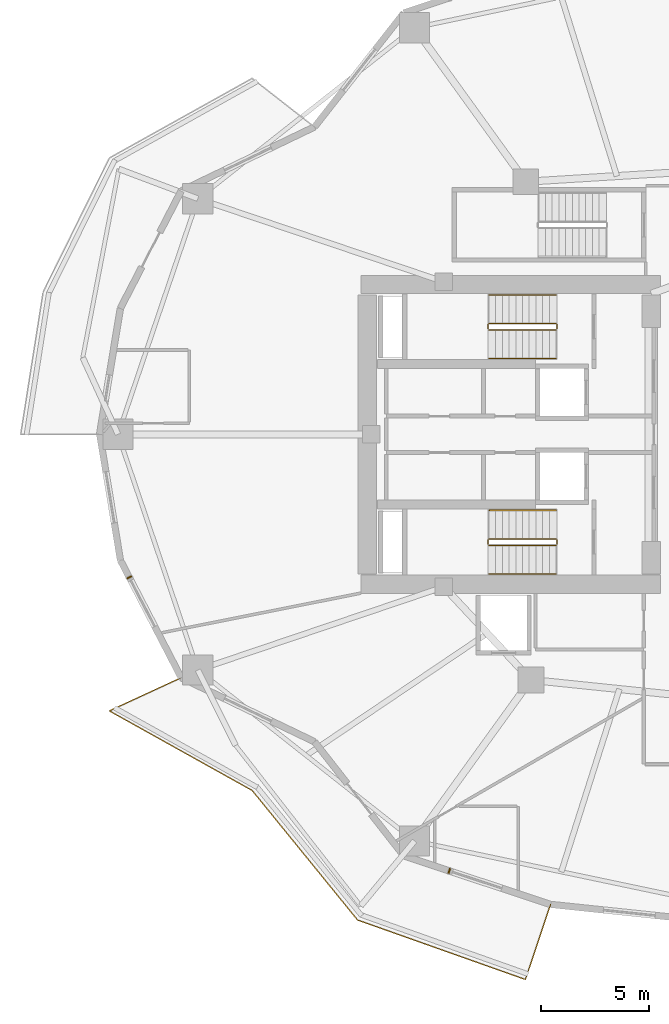
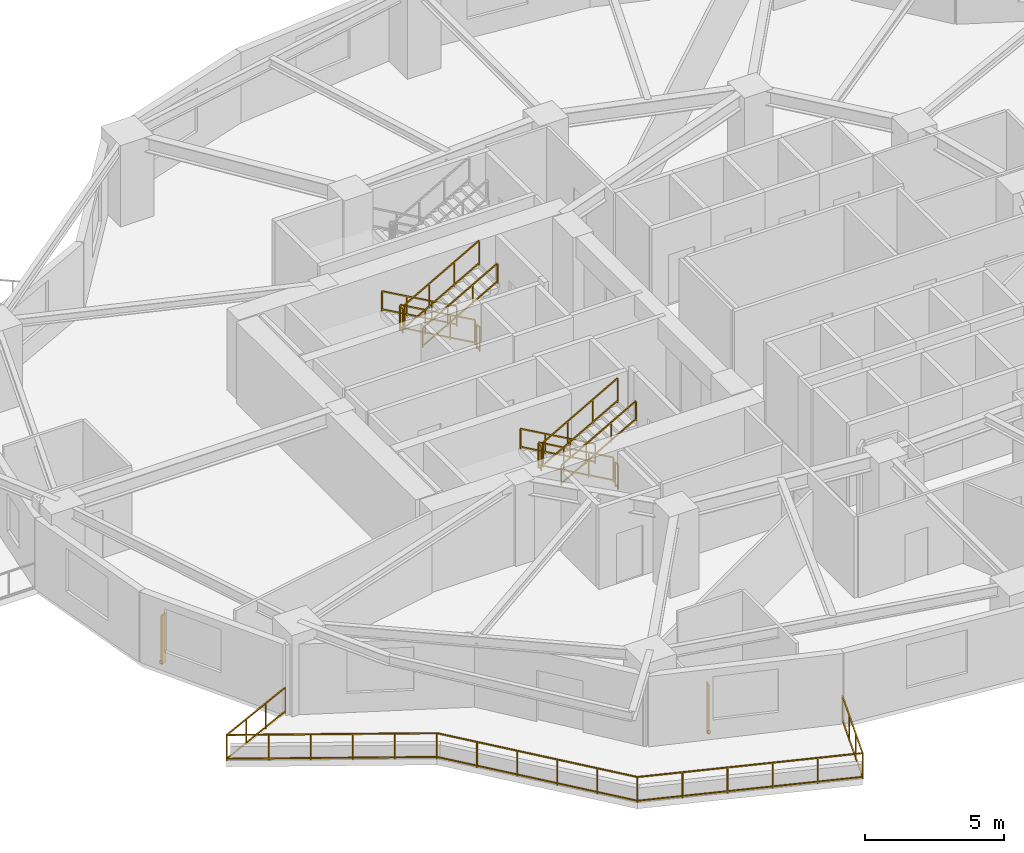
# One storey, part 9 of 13: 13 railings, 2 shading devices.
"""IFC4 building model written with IfcOpenShell, lengths in metres."""

import ifcopenshell
import ifcopenshell.guid

model = None  # the IFC model being written
_history = None  # IfcOwnerHistory: only IFC2X3 demands one
_inside = {}  # id of a spatial element -> (the spatial element, [elements in it])
_under = {}  # id of a project, library or spatial element -> (it, [spatial elements below it])
_declared = {}  # id of a project -> (the project, [libraries it declares])
_typed = {}  # id of a type object -> (the type object, [elements of that type])
_made_of = {}  # id of a material, layer set ... -> (it, [elements and type objects made of it])


def new_model(schema):
    """Start an empty IFC model of exactly this schema.

    Asked for "IFC4X3", IfcOpenShell would pick the latest addendum, in which some entities
    have other attributes; the version numbers below select the first issue.
    IFC2X3 requires an IfcOwnerHistory on every rooted entity: one is made here for all.
    """
    global model, _history
    if schema == "IFC4X3":
        model = ifcopenshell.file(schema_version=(4, 3, 0, 0))
    else:
        model = ifcopenshell.file(schema=schema)
    _inside.clear()
    _under.clear()
    _declared.clear()
    _typed.clear()
    _made_of.clear()
    _history = None
    if model.schema == "IFC2X3":
        org = make("IfcOrganization", Name="unknown")
        user = make(
            "IfcPersonAndOrganization",
            ThePerson=make("IfcPerson", FamilyName="unknown"),
            TheOrganization=org,
        )
        app = make(
            "IfcApplication",
            ApplicationDeveloper=org,
            Version="unknown",
            ApplicationFullName="unknown",
            ApplicationIdentifier="unknown",
        )
        _history = make(
            "IfcOwnerHistory",
            OwningUser=user,
            OwningApplication=app,
            ChangeAction="ADDED",
            CreationDate=0,
        )
    return model


def make(cls, **values):
    """One entity of the class cls with the attributes given. An attribute that is None is left unset."""
    return model.create_entity(
        cls, **{name: value for name, value in values.items() if value is not None}
    )


def rooted(cls, **values):
    """An entity with a GlobalId (a new one), such as an element, a storey or a relation."""
    return make(cls, GlobalId=ifcopenshell.guid.new(), OwnerHistory=_history, **values)


def si_unit(unit_type, name, prefix=None):
    """IfcSIUnit, for example si_unit("LENGTHUNIT", "METRE", prefix="MILLI")."""
    return make("IfcSIUnit", UnitType=unit_type, Prefix=prefix, Name=name)


def assignment(units):
    """IfcUnitAssignment: the units of a project."""
    return None if units is None else make("IfcUnitAssignment", Units=units)


def point(xyz):
    """IfcCartesianPoint."""
    return None if xyz is None else make("IfcCartesianPoint", Coordinates=xyz)


def direction(xyz):
    """IfcDirection."""
    return None if xyz is None else make("IfcDirection", DirectionRatios=xyz)


def frame(location, z_axis=None, x_axis=None):
    """IfcAxis2Placement3D, a coordinate frame: its origin and axes. An axis left out is left unset."""
    return make(
        "IfcAxis2Placement3D",
        Location=point(location),
        Axis=direction(z_axis),
        RefDirection=direction(x_axis),
    )


def frame_2d(location, x_axis=None):
    """IfcAxis2Placement2D, a coordinate frame in the plane: its origin and x axis."""
    return make(
        "IfcAxis2Placement2D", Location=point(location), RefDirection=direction(x_axis)
    )


def origin():
    """The frame at (0, 0, 0) with its axes left unset."""
    return frame((0.0, 0.0, 0.0))


def origin_2d():
    """The frame at (0, 0) in the plane with its x axis left unset."""
    return frame_2d((0.0, 0.0))


def place(relative_to, where):
    """IfcLocalPlacement: puts the frame where relative to a parent placement (None: the world)."""
    return make(
        "IfcLocalPlacement", PlacementRelTo=relative_to, RelativePlacement=where
    )


def context(
    kind, dimensions, precision=None, world=None, true_north=None, identifier=None
):
    """IfcGeometricRepresentationContext, for example the 3D "Model" context."""
    return make(
        "IfcGeometricRepresentationContext",
        ContextIdentifier=identifier,
        ContextType=kind,
        CoordinateSpaceDimension=dimensions,
        Precision=precision,
        WorldCoordinateSystem=world,
        TrueNorth=true_north,
    )


def subcontext(parent, identifier, kind, view, scale=None):
    """IfcGeometricRepresentationSubContext, for example "Body" below "Model"."""
    return make(
        "IfcGeometricRepresentationSubContext",
        ContextIdentifier=identifier,
        ContextType=kind,
        ParentContext=parent,
        TargetScale=scale,
        TargetView=view,
    )


def project(units=None, contexts=None):
    """IfcProject with its units and contexts."""
    return rooted(
        "IfcProject",
        Name="project",
        RepresentationContexts=contexts,
        UnitsInContext=assignment(units),
    )


def spatial(cls, under=None, at=None, **own):
    """A site, building, storey or space (cls), placed at a placement, below another one or the project."""
    s = rooted(cls, ObjectPlacement=at, **own)
    if under is not None:
        _under.setdefault(under.id(), (under, []))[1].append(s)
    return s


def profile(cls, at=None, kind="AREA", **sizes):
    """A parametric profile (cls). Its sizes go by their IFC names, for example OverallWidth=200.0."""
    return make(cls, ProfileType=kind, Position=at, **sizes)


def rectangle(**sizes):
    """IfcRectangleProfileDef."""
    return profile("IfcRectangleProfileDef", **sizes)


def extrude(swept, where, along, depth):
    """IfcExtrudedAreaSolid: the profile swept, set in the frame where, extruded along a direction by depth."""
    return make(
        "IfcExtrudedAreaSolid",
        SweptArea=swept,
        Position=where,
        ExtrudedDirection=direction(along),
        Depth=depth,
    )


def shape(context_of_items, identifier, shape_type, items):
    """IfcShapeRepresentation: the items that make up one representation, for example the "Body"."""
    return make(
        "IfcShapeRepresentation",
        ContextOfItems=context_of_items,
        RepresentationIdentifier=identifier,
        RepresentationType=shape_type,
        Items=items,
    )


def material(Name=None, Category=None):
    """IfcMaterial."""
    return make("IfcMaterial", Name=Name, Category=Category)


def made_of(thing, what):
    """Note that an element or type object is made of a material, layer set ...; save() writes the relation."""
    if what is not None:
        _made_of.setdefault(what.id(), (what, []))[1].append(thing)
    return thing


def type_object(cls, material=None, **own):
    """A type object (cls), such as IfcWallType, which elements share."""
    return made_of(rooted(cls, **own), material)


def element(
    cls,
    number,
    at=None,
    inside=None,
    cuts=None,
    type_object=None,
    material=None,
    context=None,
    identifier="Body",
    shape_type=None,
    held_by="IfcProductDefinitionShape",
    body=None,
    shapes=None,
    **own,
):
    """One element of the class cls, such as IfcWall. Its Tag is "e" and its number.

    at: its placement. inside: the storey or other place that contains it. cuts: it is an
    opening in that element (IfcRelVoidsElement). A single representation is given by context,
    identifier, shape_type and body (its items); several are given by shapes. held_by: the class
    of the entity that holds the representations. save() writes the other relations.
    """
    e = rooted(cls, Tag="e%d" % number, ObjectPlacement=at, **own)
    if body is not None:
        shapes = [shape(context, identifier, shape_type, body)]
    if shapes is not None:
        e.Representation = make(held_by, Representations=shapes)
    if inside is not None:
        _inside.setdefault(inside.id(), (inside, []))[1].append(e)
    if cuts is not None:
        rooted(
            "IfcRelVoidsElement", RelatingBuildingElement=cuts, RelatedOpeningElement=e
        )
    if type_object is not None:
        _typed.setdefault(type_object.id(), (type_object, []))[1].append(e)
    return made_of(e, material)


def aggregate(whole, parts):
    """IfcRelAggregates: a whole, such as a stair, and the parts it consists of."""
    return rooted("IfcRelAggregates", RelatingObject=whole, RelatedObjects=parts)


def save(model, path):
    """Write the relations noted so far, then the file.

    IfcRelAggregates (storeys below a building ...), IfcRelContainedInSpatialStructure (elements
    in a storey), IfcRelDefinesByType, IfcRelAssociatesMaterial and IfcRelDeclares: one each for
    every whole, place, type object, material and project.
    """
    for whole, parts in _under.values():
        aggregate(whole, parts)
    for where, things in _inside.values():
        rooted(
            "IfcRelContainedInSpatialStructure",
            RelatedElements=things,
            RelatingStructure=where,
        )
    for kind, things in _typed.values():
        rooted("IfcRelDefinesByType", RelatedObjects=things, RelatingType=kind)
    for what, things in _made_of.values():
        rooted("IfcRelAssociatesMaterial", RelatedObjects=things, RelatingMaterial=what)
    for by, libraries in _declared.values():
        rooted("IfcRelDeclares", RelatingContext=by, RelatedDefinitions=libraries)
    model.write(path)


model = new_model("IFC4")

# Units and contexts
model_context = context("Model", 3, precision=1e-05, world=origin(), true_north=direction((0.0, 1.0)))
body_context = subcontext(model_context, "Body", "Model", "MODEL_VIEW")
ifc_project = project(units=[si_unit("LENGTHUNIT", "METRE"), si_unit("AREAUNIT", "SQUARE_METRE"), si_unit("VOLUMEUNIT", "CUBIC_METRE"), si_unit("PLANEANGLEUNIT", "RADIAN"), si_unit("MASSUNIT", "GRAM", prefix="KILO")], contexts=[model_context])

# Site, building, storey
site_placement = place(None, origin())
site = spatial("IfcSite", under=ifc_project, at=site_placement, CompositionType="ELEMENT")
building_placement = place(site_placement, origin())
building = spatial("IfcBuilding", under=site, at=building_placement, Name="Kolvaren Gate Tower and Convention Centre", CompositionType="ELEMENT")
storey_placement = place(building_placement, frame((0.0, 0.0, 26.5)))
storey = spatial("IfcBuildingStorey", under=building, at=storey_placement, Name="L05", CompositionType="ELEMENT", Elevation=26.5)

# Railings
ifc_material_1 = material(Name="Brushed Stainless Steel Grade 316L", Category="steel")
railing_type_1 = type_object("IfcRailingType", Name="ARCH-RL-GUARD-1150", PredefinedType="GUARDRAIL", material=ifc_material_1)
railing_1_placement = place(storey_placement, frame((23.10009765625, 32.1298828125, 0.175048828125)))
element("IfcRailing", 1, at=railing_1_placement, inside=storey, type_object=railing_type_1, Name="L05 ST-T1 stair guard 1", PredefinedType="GUARDRAIL", context=body_context, shape_type="SweptSolid", body=[
    extrude(rectangle(XDim=0.048095703125, YDim=0.048095703125, at=origin_2d()), frame((0.0, 0.0, 1.076171875), z_axis=(-0.870830938388, 0.0, 0.491582624537), x_axis=(0.0, -1.0, 0.0)), (0.0, 0.0, 1.0), 3.559814453125),
    extrude(rectangle(XDim=0.048095703125, YDim=0.048095703125, at=origin_2d()), frame((0.0, 0.0, 0.083984375), z_axis=(-0.870830938388, 0.0, 0.491582624537), x_axis=(0.0, -1.0, 0.0)), (0.0, 0.0, 1.0), 3.559814453125),
    extrude(rectangle(XDim=0.0419921875, YDim=0.0419921875, at=origin_2d()), origin(), (0.0, 0.0, 1.0), 1.050048828125),
    extrude(rectangle(XDim=0.0419921875, YDim=0.0419921875, at=origin_2d()), frame((-3.10009765625, 0.0, 1.75)), (0.0, 0.0, 1.0), 1.050048828125),
    extrude(rectangle(XDim=0.0419921875, YDim=0.0419921875, at=origin_2d()), frame((-1.033447265625, 0.0, 0.583251953125)), (0.0, 0.0, 1.0), 1.050048828125),
    extrude(rectangle(XDim=0.0419921875, YDim=0.0419921875, at=origin_2d()), frame((-2.066650390625, 0.0, 1.166748046875)), (0.0, 0.0, 1.0), 1.050048828125),
])
railing_2_placement = place(storey_placement, frame((19.949951171875, 32.080078125, 1.925048828125)))
element("IfcRailing", 2, at=railing_2_placement, inside=storey, type_object=railing_type_1, Name="L05 ST-T1 stair guard 2", PredefinedType="GUARDRAIL", context=body_context, shape_type="SweptSolid", body=[
    extrude(rectangle(XDim=0.048095703125, YDim=0.048095703125, at=origin_2d()), frame((0.0, 0.0, 1.076171875), z_axis=(0.0, -1.0, 0.0), x_axis=(1.0, 0.0, 0.0)), (0.0, 0.0, 1.0), 0.2001953125),
    extrude(rectangle(XDim=0.048095703125, YDim=0.048095703125, at=origin_2d()), frame((0.0, 0.0, 0.083984375), z_axis=(0.0, -1.0, 0.0), x_axis=(1.0, 0.0, 0.0)), (0.0, 0.0, 1.0), 0.2001953125),
    extrude(rectangle(XDim=0.0419921875, YDim=0.0419921875, at=origin_2d()), origin(), (0.0, 0.0, 1.0), 1.050048828125),
    extrude(rectangle(XDim=0.0419921875, YDim=0.0419921875, at=origin_2d()), frame((0.0, -0.2001953125, 0.0)), (0.0, 0.0, 1.0), 1.050048828125),
])
railing_3_placement = place(storey_placement, frame((20.0, 31.830078125, 2.10009765625)))
element("IfcRailing", 3, at=railing_3_placement, inside=storey, type_object=railing_type_1, Name="L05 ST-T1 stair guard 3", PredefinedType="GUARDRAIL", context=body_context, shape_type="SweptSolid", body=[
    extrude(rectangle(XDim=0.048095703125, YDim=0.048095703125, at=origin_2d()), frame((0.0, 0.0, 1.076171875), z_axis=(0.870830938388, 0.0, 0.491582624537), x_axis=(0.0, 1.0, 0.0)), (0.0, 0.0, 1.0), 3.559814453125),
    extrude(rectangle(XDim=0.048095703125, YDim=0.048095703125, at=origin_2d()), frame((0.0, 0.0, 0.083984375), z_axis=(0.870830938388, 0.0, 0.491582624537), x_axis=(0.0, 1.0, 0.0)), (0.0, 0.0, 1.0), 3.559814453125),
    extrude(rectangle(XDim=0.0419921875, YDim=0.0419921875, at=origin_2d()), origin(), (0.0, 0.0, 1.0), 1.050048828125),
    extrude(rectangle(XDim=0.0419921875, YDim=0.0419921875, at=origin_2d()), frame((3.10009765625, 0.0, 1.75)), (0.0, 0.0, 1.0), 1.050048828125),
    extrude(rectangle(XDim=0.0419921875, YDim=0.0419921875, at=origin_2d()), frame((1.033447265625, 0.0, 0.583251953125)), (0.0, 0.0, 1.0), 1.050048828125),
    extrude(rectangle(XDim=0.0419921875, YDim=0.0419921875, at=origin_2d()), frame((2.066650390625, 0.0, 1.166748046875)), (0.0, 0.0, 1.0), 1.050048828125),
])
railing_4_placement = place(storey_placement, frame((23.14990234375, 32.080078125, 0.0)))
element("IfcRailing", 4, at=railing_4_placement, inside=storey, type_object=railing_type_1, Name="L05 ST-T1 stair guard 4", PredefinedType="GUARDRAIL", context=body_context, shape_type="SweptSolid", body=[
    extrude(rectangle(XDim=0.048095703125, YDim=0.048095703125, at=origin_2d()), frame((0.0, 0.0, 1.076171875), z_axis=(0.0, -1.0, 0.0), x_axis=(1.0, 0.0, 0.0)), (0.0, 0.0, 1.0), 0.2001953125),
    extrude(rectangle(XDim=0.048095703125, YDim=0.048095703125, at=origin_2d()), frame((0.0, 0.0, 0.083984375), z_axis=(0.0, -1.0, 0.0), x_axis=(1.0, 0.0, 0.0)), (0.0, 0.0, 1.0), 0.2001953125),
    extrude(rectangle(XDim=0.0419921875, YDim=0.0419921875, at=origin_2d()), origin(), (0.0, 0.0, 1.0), 1.050048828125),
    extrude(rectangle(XDim=0.0419921875, YDim=0.0419921875, at=origin_2d()), frame((0.0, -0.2001953125, 0.0)), (0.0, 0.0, 1.0), 1.050048828125),
])
railing_5_placement = place(storey_placement, frame((23.10009765625, 22.169921875, 0.175048828125)))
element("IfcRailing", 5, at=railing_5_placement, inside=storey, type_object=railing_type_1, Name="L05 ST-T2 stair guard 1", PredefinedType="GUARDRAIL", context=body_context, shape_type="SweptSolid", body=[
    extrude(rectangle(XDim=0.048095703125, YDim=0.048095703125, at=origin_2d()), frame((0.0, 0.0, 1.076171875), z_axis=(-0.870830938388, 0.0, 0.491582624537), x_axis=(0.0, -1.0, 0.0)), (0.0, 0.0, 1.0), 3.559814453125),
    extrude(rectangle(XDim=0.048095703125, YDim=0.048095703125, at=origin_2d()), frame((0.0, 0.0, 0.083984375), z_axis=(-0.870830938388, 0.0, 0.491582624537), x_axis=(0.0, -1.0, 0.0)), (0.0, 0.0, 1.0), 3.559814453125),
    extrude(rectangle(XDim=0.0419921875, YDim=0.0419921875, at=origin_2d()), origin(), (0.0, 0.0, 1.0), 1.050048828125),
    extrude(rectangle(XDim=0.0419921875, YDim=0.0419921875, at=origin_2d()), frame((-3.10009765625, 0.0, 1.75)), (0.0, 0.0, 1.0), 1.050048828125),
    extrude(rectangle(XDim=0.0419921875, YDim=0.0419921875, at=origin_2d()), frame((-1.033447265625, 0.0, 0.583251953125)), (0.0, 0.0, 1.0), 1.050048828125),
    extrude(rectangle(XDim=0.0419921875, YDim=0.0419921875, at=origin_2d()), frame((-2.066650390625, 0.0, 1.166748046875)), (0.0, 0.0, 1.0), 1.050048828125),
])
railing_6_placement = place(storey_placement, frame((19.949951171875, 22.1201171875, 1.925048828125)))
element("IfcRailing", 6, at=railing_6_placement, inside=storey, type_object=railing_type_1, Name="L05 ST-T2 stair guard 2", PredefinedType="GUARDRAIL", context=body_context, shape_type="SweptSolid", body=[
    extrude(rectangle(XDim=0.048095703125, YDim=0.048095703125, at=origin_2d()), frame((0.0, 0.0, 1.076171875), z_axis=(0.0, -1.0, 0.0), x_axis=(1.0, 0.0, 0.0)), (0.0, 0.0, 1.0), 0.2001953125),
    extrude(rectangle(XDim=0.048095703125, YDim=0.048095703125, at=origin_2d()), frame((0.0, 0.0, 0.083984375), z_axis=(0.0, -1.0, 0.0), x_axis=(1.0, 0.0, 0.0)), (0.0, 0.0, 1.0), 0.2001953125),
    extrude(rectangle(XDim=0.0419921875, YDim=0.0419921875, at=origin_2d()), origin(), (0.0, 0.0, 1.0), 1.050048828125),
    extrude(rectangle(XDim=0.0419921875, YDim=0.0419921875, at=origin_2d()), frame((0.0, -0.2001953125, 0.0)), (0.0, 0.0, 1.0), 1.050048828125),
])
railing_7_placement = place(storey_placement, frame((20.0, 21.8701171875, 2.10009765625)))
element("IfcRailing", 7, at=railing_7_placement, inside=storey, type_object=railing_type_1, Name="L05 ST-T2 stair guard 3", PredefinedType="GUARDRAIL", context=body_context, shape_type="SweptSolid", body=[
    extrude(rectangle(XDim=0.048095703125, YDim=0.048095703125, at=origin_2d()), frame((0.0, 0.0, 1.076171875), z_axis=(0.870830938388, 0.0, 0.491582624537), x_axis=(0.0, 1.0, 0.0)), (0.0, 0.0, 1.0), 3.559814453125),
    extrude(rectangle(XDim=0.048095703125, YDim=0.048095703125, at=origin_2d()), frame((0.0, 0.0, 0.083984375), z_axis=(0.870830938388, 0.0, 0.491582624537), x_axis=(0.0, 1.0, 0.0)), (0.0, 0.0, 1.0), 3.559814453125),
    extrude(rectangle(XDim=0.0419921875, YDim=0.0419921875, at=origin_2d()), origin(), (0.0, 0.0, 1.0), 1.050048828125),
    extrude(rectangle(XDim=0.0419921875, YDim=0.0419921875, at=origin_2d()), frame((3.10009765625, 0.0, 1.75)), (0.0, 0.0, 1.0), 1.050048828125),
    extrude(rectangle(XDim=0.0419921875, YDim=0.0419921875, at=origin_2d()), frame((1.033447265625, 0.0, 0.583251953125)), (0.0, 0.0, 1.0), 1.050048828125),
    extrude(rectangle(XDim=0.0419921875, YDim=0.0419921875, at=origin_2d()), frame((2.066650390625, 0.0, 1.166748046875)), (0.0, 0.0, 1.0), 1.050048828125),
])
railing_8_placement = place(storey_placement, frame((23.14990234375, 22.1201171875, 0.0)))
element("IfcRailing", 8, at=railing_8_placement, inside=storey, type_object=railing_type_1, Name="L05 ST-T2 stair guard 4", PredefinedType="GUARDRAIL", context=body_context, shape_type="SweptSolid", body=[
    extrude(rectangle(XDim=0.048095703125, YDim=0.048095703125, at=origin_2d()), frame((0.0, 0.0, 1.076171875), z_axis=(0.0, -1.0, 0.0), x_axis=(1.0, 0.0, 0.0)), (0.0, 0.0, 1.0), 0.2001953125),
    extrude(rectangle(XDim=0.048095703125, YDim=0.048095703125, at=origin_2d()), frame((0.0, 0.0, 0.083984375), z_axis=(0.0, -1.0, 0.0), x_axis=(1.0, 0.0, 0.0)), (0.0, 0.0, 1.0), 0.2001953125),
    extrude(rectangle(XDim=0.0419921875, YDim=0.0419921875, at=origin_2d()), origin(), (0.0, 0.0, 1.0), 1.050048828125),
    extrude(rectangle(XDim=0.0419921875, YDim=0.0419921875, at=origin_2d()), frame((0.0, -0.2001953125, 0.0)), (0.0, 0.0, 1.0), 1.050048828125),
])
railing_9_placement = place(storey_placement, frame((5.76806640625, 15.75, 0.0)))
element("IfcRailing", 9, at=railing_9_placement, inside=storey, type_object=railing_type_1, Name="Tower L05 Terrace Perimeter Guardrail GR-3", PredefinedType="GUARDRAIL", context=body_context, shape_type="SweptSolid", body=[
    extrude(rectangle(XDim=0.048095703125, YDim=0.048095703125, at=origin_2d()), frame((-0.025390625, -0.01171875, 1.1259765625), z_axis=(-0.907846116663, -0.419303503993, 0.0), x_axis=(0.419303503993, -0.907846116663, 0.0)), (0.0, 0.0, 1.0), 3.60400390625),
    extrude(rectangle(XDim=0.048095703125, YDim=0.048095703125, at=origin_2d()), frame((-0.025390625, -0.01171875, 0.083984375), z_axis=(-0.907846116663, -0.419303503993, 0.0), x_axis=(0.419303503993, -0.907846116663, 0.0)), (0.0, 0.0, 1.0), 3.60400390625),
    extrude(rectangle(XDim=0.048095703125, YDim=0.048095703125, at=origin_2d()), frame((-3.29833984375, -1.54833984375, 1.1259765625), z_axis=(0.873486390754, -0.486848564923, 0.0), x_axis=(0.486848564923, 0.873486390754, 0.0)), (0.0, 0.0, 1.0), 7.506103515625),
    extrude(rectangle(XDim=0.048095703125, YDim=0.048095703125, at=origin_2d()), frame((-3.29833984375, -1.54833984375, 0.083984375), z_axis=(0.873486390754, -0.486848564923, 0.0), x_axis=(0.486848564923, 0.873486390754, 0.0)), (0.0, 0.0, 1.0), 7.506103515625),
    extrude(rectangle(XDim=0.048095703125, YDim=0.048095703125, at=origin_2d()), frame((3.30029296875, -5.238037109375, 1.1259765625), z_axis=(0.631012936188, -0.775772308324, 0.0), x_axis=(0.775772308324, 0.631012936188, 0.0)), (0.0, 0.0, 1.0), 7.661376953125),
    extrude(rectangle(XDim=0.048095703125, YDim=0.048095703125, at=origin_2d()), frame((3.30029296875, -5.238037109375, 0.083984375), z_axis=(0.631012936188, -0.775772308324, 0.0), x_axis=(0.775772308324, 0.631012936188, 0.0)), (0.0, 0.0, 1.0), 7.661376953125),
    extrude(rectangle(XDim=0.048095703125, YDim=0.048095703125, at=origin_2d()), frame((8.178955078125, -11.212646484375, 1.1259765625), z_axis=(0.942581348797, -0.333976647237, 0.0), x_axis=(0.333976647237, 0.942581348797, 0.0)), (0.0, 0.0, 1.0), 8.179443359375),
    extrude(rectangle(XDim=0.048095703125, YDim=0.048095703125, at=origin_2d()), frame((8.178955078125, -11.212646484375, 0.083984375), z_axis=(0.942581348797, -0.333976647237, 0.0), x_axis=(0.333976647237, 0.942581348797, 0.0)), (0.0, 0.0, 1.0), 8.179443359375),
    extrude(rectangle(XDim=0.048095703125, YDim=0.048095703125, at=origin_2d()), frame((15.924072265625, -13.92724609375, 1.1259765625), z_axis=(0.317588247294, 0.948228719867, 0.0), x_axis=(-0.948228719867, 0.317588247294, 0.0)), (0.0, 0.0, 1.0), 3.603759765625),
    extrude(rectangle(XDim=0.048095703125, YDim=0.048095703125, at=origin_2d()), frame((15.924072265625, -13.92724609375, 0.083984375), z_axis=(0.317588247294, 0.948228719867, 0.0), x_axis=(-0.948228719867, 0.317588247294, 0.0)), (0.0, 0.0, 1.0), 3.603759765625),
    extrude(rectangle(XDim=0.0419921875, YDim=0.0419921875, at=origin_2d()), origin(), (0.0, 0.0, 1.0), 1.14990234375),
    extrude(rectangle(XDim=0.0419921875, YDim=0.0419921875, at=origin_2d()), frame((-3.32275390625, -1.53466796875, 0.0)), (0.0, 0.0, 1.0), 1.14990234375),
    extrude(rectangle(XDim=0.0419921875, YDim=0.0419921875, at=origin_2d()), frame((-1.107666015625, -0.511474609375, 0.0)), (0.0, 0.0, 1.0), 1.099853515625),
    extrude(rectangle(XDim=0.0419921875, YDim=0.0419921875, at=origin_2d()), frame((-2.215087890625, -1.023193359375, 0.0)), (0.0, 0.0, 1.0), 1.099853515625),
    extrude(rectangle(XDim=0.0419921875, YDim=0.0419921875, at=origin_2d()), frame((3.28271484375, -5.21630859375, 0.0)), (0.0, 0.0, 1.0), 1.14990234375),
    extrude(rectangle(XDim=0.0419921875, YDim=0.0419921875, at=origin_2d()), frame((-2.001708984375, -2.27099609375, 0.0)), (0.0, 0.0, 1.0), 1.099853515625),
    extrude(rectangle(XDim=0.0419921875, YDim=0.0419921875, at=origin_2d()), frame((-0.6806640625, -3.00732421875, 0.0)), (0.0, 0.0, 1.0), 1.099853515625),
    extrude(rectangle(XDim=0.0419921875, YDim=0.0419921875, at=origin_2d()), frame((0.640625, -3.74365234375, 0.0)), (0.0, 0.0, 1.0), 1.099853515625),
    extrude(rectangle(XDim=0.0419921875, YDim=0.0419921875, at=origin_2d()), frame((1.961669921875, -4.47998046875, 0.0)), (0.0, 0.0, 1.0), 1.099853515625),
    extrude(rectangle(XDim=0.0419921875, YDim=0.0419921875, at=origin_2d()), frame((8.152587890625, -11.203369140625, 0.0)), (0.0, 0.0, 1.0), 1.14990234375),
    extrude(rectangle(XDim=0.0419921875, YDim=0.0419921875, at=origin_2d()), frame((4.256591796875, -6.413818359375, 0.0)), (0.0, 0.0, 1.0), 1.099853515625),
    extrude(rectangle(XDim=0.0419921875, YDim=0.0419921875, at=origin_2d()), frame((5.230712890625, -7.611083984375, 0.0)), (0.0, 0.0, 1.0), 1.099853515625),
    extrude(rectangle(XDim=0.0419921875, YDim=0.0419921875, at=origin_2d()), frame((6.20458984375, -8.80859375, 0.0)), (0.0, 0.0, 1.0), 1.099853515625),
    extrude(rectangle(XDim=0.0419921875, YDim=0.0419921875, at=origin_2d()), frame((7.1787109375, -10.005859375, 0.0)), (0.0, 0.0, 1.0), 1.099853515625),
    extrude(rectangle(XDim=0.0419921875, YDim=0.0419921875, at=origin_2d()), frame((15.915283203125, -13.953857421875, 0.0)), (0.0, 0.0, 1.0), 1.14990234375),
    extrude(rectangle(XDim=0.0419921875, YDim=0.0419921875, at=origin_2d()), frame((9.705078125, -11.75341796875, 0.0)), (0.0, 0.0, 1.0), 1.099853515625),
    extrude(rectangle(XDim=0.0419921875, YDim=0.0419921875, at=origin_2d()), frame((11.257568359375, -12.303466796875, 0.0)), (0.0, 0.0, 1.0), 1.099853515625),
    extrude(rectangle(XDim=0.0419921875, YDim=0.0419921875, at=origin_2d()), frame((12.810302734375, -12.853759765625, 0.0)), (0.0, 0.0, 1.0), 1.099853515625),
    extrude(rectangle(XDim=0.0419921875, YDim=0.0419921875, at=origin_2d()), frame((14.36279296875, -13.40380859375, 0.0)), (0.0, 0.0, 1.0), 1.099853515625),
    extrude(rectangle(XDim=0.0419921875, YDim=0.0419921875, at=origin_2d()), frame((17.07763671875, -10.4833984375, 0.0)), (0.0, 0.0, 1.0), 1.14990234375),
    extrude(rectangle(XDim=0.0419921875, YDim=0.0419921875, at=origin_2d()), frame((16.302734375, -12.797119140625, 0.0)), (0.0, 0.0, 1.0), 1.099853515625),
    extrude(rectangle(XDim=0.0419921875, YDim=0.0419921875, at=origin_2d()), frame((16.690185546875, -11.64013671875, 0.0)), (0.0, 0.0, 1.0), 1.099853515625),
])
railing_type_2 = type_object("IfcRailingType", Name="ARCH-RL-HANDRAIL-920", PredefinedType="HANDRAIL", material=ifc_material_1)
railing_10_placement = place(storey_placement, frame((23.10009765625, 33.449951171875, 0.175048828125)))
element("IfcRailing", 10, at=railing_10_placement, inside=storey, type_object=railing_type_2, Name="L05 ST-T1 stair handrail 1", PredefinedType="HANDRAIL", context=body_context, shape_type="SweptSolid", body=[
    extrude(rectangle(XDim=0.048095703125, YDim=0.048095703125, at=origin_2d()), frame((0.0, 0.0, 0.8759765625), z_axis=(-0.870830938388, 0.0, 0.491582624537), x_axis=(0.0, -1.0, 0.0)), (0.0, 0.0, 1.0), 3.559814453125),
    extrude(rectangle(XDim=0.048095703125, YDim=0.048095703125, at=origin_2d()), frame((0.0, 0.0, 0.083984375), z_axis=(-0.870830938388, 0.0, 0.491582624537), x_axis=(0.0, -1.0, 0.0)), (0.0, 0.0, 1.0), 3.559814453125),
    extrude(rectangle(XDim=0.0419921875, YDim=0.0419921875, at=origin_2d()), origin(), (0.0, 0.0, 1.0), 0.849853515625),
    extrude(rectangle(XDim=0.0419921875, YDim=0.0419921875, at=origin_2d()), frame((-3.10009765625, 0.0, 1.75)), (0.0, 0.0, 1.0), 0.849853515625),
    extrude(rectangle(XDim=0.0419921875, YDim=0.0419921875, at=origin_2d()), frame((-1.033447265625, 0.0, 0.583251953125)), (0.0, 0.0, 1.0), 0.849853515625),
    extrude(rectangle(XDim=0.0419921875, YDim=0.0419921875, at=origin_2d()), frame((-2.066650390625, 0.0, 1.166748046875)), (0.0, 0.0, 1.0), 0.849853515625),
])
railing_11_placement = place(storey_placement, frame((20.0, 30.510009765625, 2.10009765625)))
element("IfcRailing", 11, at=railing_11_placement, inside=storey, type_object=railing_type_2, Name="L05 ST-T1 stair handrail 2", PredefinedType="HANDRAIL", context=body_context, shape_type="SweptSolid", body=[
    extrude(rectangle(XDim=0.048095703125, YDim=0.048095703125, at=origin_2d()), frame((0.0, 0.0, 0.8759765625), z_axis=(0.870830938388, 0.0, 0.491582624537), x_axis=(0.0, 1.0, 0.0)), (0.0, 0.0, 1.0), 3.559814453125),
    extrude(rectangle(XDim=0.048095703125, YDim=0.048095703125, at=origin_2d()), frame((0.0, 0.0, 0.083984375), z_axis=(0.870830938388, 0.0, 0.491582624537), x_axis=(0.0, 1.0, 0.0)), (0.0, 0.0, 1.0), 3.559814453125),
    extrude(rectangle(XDim=0.0419921875, YDim=0.0419921875, at=origin_2d()), origin(), (0.0, 0.0, 1.0), 0.849853515625),
    extrude(rectangle(XDim=0.0419921875, YDim=0.0419921875, at=origin_2d()), frame((3.10009765625, 0.0, 1.75)), (0.0, 0.0, 1.0), 0.849853515625),
    extrude(rectangle(XDim=0.0419921875, YDim=0.0419921875, at=origin_2d()), frame((1.033447265625, 0.0, 0.583251953125)), (0.0, 0.0, 1.0), 0.849853515625),
    extrude(rectangle(XDim=0.0419921875, YDim=0.0419921875, at=origin_2d()), frame((2.066650390625, 0.0, 1.166748046875)), (0.0, 0.0, 1.0), 0.849853515625),
])
railing_12_placement = place(storey_placement, frame((23.10009765625, 23.489990234375, 0.175048828125)))
element("IfcRailing", 12, at=railing_12_placement, inside=storey, type_object=railing_type_2, Name="L05 ST-T2 stair handrail 1", PredefinedType="HANDRAIL", context=body_context, shape_type="SweptSolid", body=[
    extrude(rectangle(XDim=0.048095703125, YDim=0.048095703125, at=origin_2d()), frame((0.0, 0.0, 0.8759765625), z_axis=(-0.870830938388, 0.0, 0.491582624537), x_axis=(0.0, -1.0, 0.0)), (0.0, 0.0, 1.0), 3.559814453125),
    extrude(rectangle(XDim=0.048095703125, YDim=0.048095703125, at=origin_2d()), frame((0.0, 0.0, 0.083984375), z_axis=(-0.870830938388, 0.0, 0.491582624537), x_axis=(0.0, -1.0, 0.0)), (0.0, 0.0, 1.0), 3.559814453125),
    extrude(rectangle(XDim=0.0419921875, YDim=0.0419921875, at=origin_2d()), origin(), (0.0, 0.0, 1.0), 0.849853515625),
    extrude(rectangle(XDim=0.0419921875, YDim=0.0419921875, at=origin_2d()), frame((-3.10009765625, 0.0, 1.75)), (0.0, 0.0, 1.0), 0.849853515625),
    extrude(rectangle(XDim=0.0419921875, YDim=0.0419921875, at=origin_2d()), frame((-1.033447265625, 0.0, 0.583251953125)), (0.0, 0.0, 1.0), 0.849853515625),
    extrude(rectangle(XDim=0.0419921875, YDim=0.0419921875, at=origin_2d()), frame((-2.066650390625, 0.0, 1.166748046875)), (0.0, 0.0, 1.0), 0.849853515625),
])
railing_13_placement = place(storey_placement, frame((20.0, 20.550048828125, 2.10009765625)))
element("IfcRailing", 13, at=railing_13_placement, inside=storey, type_object=railing_type_2, Name="L05 ST-T2 stair handrail 2", PredefinedType="HANDRAIL", context=body_context, shape_type="SweptSolid", body=[
    extrude(rectangle(XDim=0.048095703125, YDim=0.048095703125, at=origin_2d()), frame((0.0, 0.0, 0.8759765625), z_axis=(0.870830938388, 0.0, 0.491582624537), x_axis=(0.0, 1.0, 0.0)), (0.0, 0.0, 1.0), 3.559814453125),
    extrude(rectangle(XDim=0.048095703125, YDim=0.048095703125, at=origin_2d()), frame((0.0, 0.0, 0.083984375), z_axis=(0.870830938388, 0.0, 0.491582624537), x_axis=(0.0, 1.0, 0.0)), (0.0, 0.0, 1.0), 3.559814453125),
    extrude(rectangle(XDim=0.0419921875, YDim=0.0419921875, at=origin_2d()), origin(), (0.0, 0.0, 1.0), 0.849853515625),
    extrude(rectangle(XDim=0.0419921875, YDim=0.0419921875, at=origin_2d()), frame((3.10009765625, 0.0, 1.75)), (0.0, 0.0, 1.0), 0.849853515625),
    extrude(rectangle(XDim=0.0419921875, YDim=0.0419921875, at=origin_2d()), frame((1.033447265625, 0.0, 0.583251953125)), (0.0, 0.0, 1.0), 0.849853515625),
    extrude(rectangle(XDim=0.0419921875, YDim=0.0419921875, at=origin_2d()), frame((2.066650390625, 0.0, 1.166748046875)), (0.0, 0.0, 1.0), 0.849853515625),
])

# Shading devices
ifc_material_2 = material(Name="Kiln-Fired Bogota Terracotta Ceramic Louvre Profile", Category="masonry")
shading_device_type = type_object("IfcShadingDeviceType", Name="ARCH-SHD-FIN-180", PredefinedType="JALOUSIE", material=ifc_material_2)
for number, where, z_axis, x_axis, name in (
    (14, (3.367431640625, 20.38623046875, 0.219970703125), (0.0, 0.0, 1.0), (0.459789110083, -0.888028138208, 0.0), "Ceramic Vertical Brise-Soleil Fin FN-L05-13"),
    (15, (18.1630859375, 6.818359375, 0.219970703125), (0.0, 0.0, 1.0), (0.949242826568, -0.314544203905, 0.0), "Ceramic Vertical Brise-Soleil Fin FN-L05-16"),
):
    element("IfcShadingDevice", number, at=place(storey_placement, frame(where, z_axis=z_axis, x_axis=x_axis)), inside=storey, type_object=shading_device_type, Name=name, PredefinedType="JALOUSIE", context=body_context, shape_type="SweptSolid", body=[
        extrude(rectangle(XDim=0.06005859375, YDim=0.239990234375, at=origin_2d()), origin(), (0.0, 0.0, 1.0), 2.14990234375),
    ])

save(model, "model.ifc")
